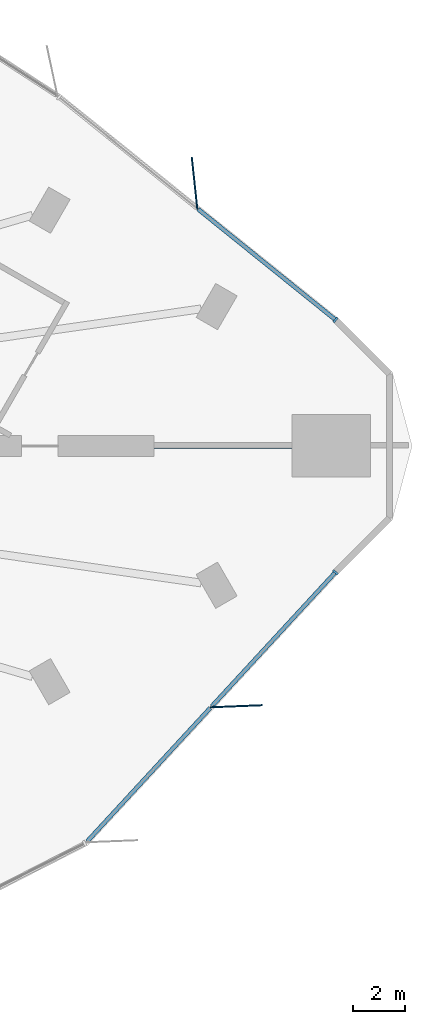
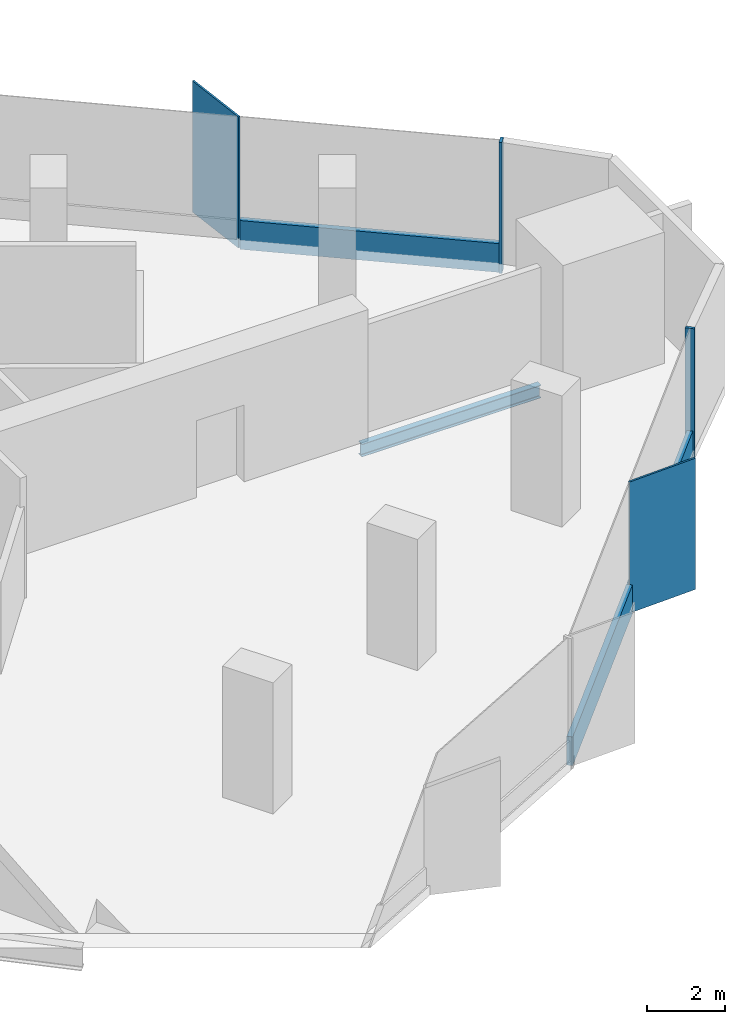
# One storey, part 6 of 14: 7 members, 1 beam, 2 elements without a shape of their own.
"""IFC4 building model written with IfcOpenShell, lengths in metres."""

from ifc_helpers import new_model, si_unit, direction, frame, origin, origin_2d, place, context, subcontext, project, spatial, rectangle, i_section, extrude, material, material_profile, profile_set, type_object, element, aggregate, save


model = new_model("IFC4")

# Units and contexts
model_context = context("Model", 3, precision=1e-05, world=origin(), true_north=direction((0.0, 1.0)))
body_context = subcontext(model_context, "Body", "Model", "MODEL_VIEW")
ifc_project = project(units=[si_unit("LENGTHUNIT", "METRE"), si_unit("AREAUNIT", "SQUARE_METRE"), si_unit("VOLUMEUNIT", "CUBIC_METRE"), si_unit("PLANEANGLEUNIT", "RADIAN"), si_unit("MASSUNIT", "GRAM", prefix="KILO")], contexts=[model_context])

# Site, building, storey
site_placement = place(None, origin())
site = spatial("IfcSite", under=ifc_project, at=site_placement, CompositionType="ELEMENT")
building_placement = place(site_placement, origin())
building = spatial("IfcBuilding", under=site, at=building_placement, Name="Tanit Gate Tower", CompositionType="ELEMENT")
storey_placement = place(building_placement, frame((0.0, 0.0, 74.199951171875)))
storey = spatial("IfcBuildingStorey", under=building, at=storey_placement, Name="L14", CompositionType="ELEMENT", Elevation=74.199951171875)

# Curtain wall, member
ifc_material_1 = material(Name="Aluminium bronze anodised and glass", Category="aluminium")
curtain_wall_type = type_object("IfcCurtainWallType", Name="Curtain wall typical low", PredefinedType="NOTDEFINED", material=ifc_material_1)
curtain_wall_1_placement = place(storey_placement, origin())
curtain_wall_1 = element("IfcCurtainWall", 1, at=curtain_wall_1_placement, inside=storey, type_object=curtain_wall_type, Name="Curtain wall L14 NE1", PredefinedType="NOTDEFINED")
ifc_material_2 = material(Name="Aluminium bronze anodised", Category="aluminium")
ifc_material_profile_1 = material_profile(ifc_material_2, rectangle(XDim=2.0, YDim=0.055908203125, at=origin_2d()), Name="56x2000 bronze fin mullion")
ifc_profile_set_1 = profile_set([ifc_material_profile_1], Name="Aluminium bronze anodised")
member_type_1 = type_object("IfcMemberType", Name="FIN MULLION 56x2000 bronze", PredefinedType="MULLION", material=ifc_profile_set_1)
member_1_placement = place(storey_placement, frame((36.37646484375, 10.07177734375, -0.300048828125), z_axis=(0.0, 0.0, 1.0), x_axis=(0.107016792677, -0.994257213243, 0.0)))
member_1 = element("IfcMember", 2, at=member_1_placement, type_object=member_type_1, Name="Fin mullion L14 NE1.2", PredefinedType="MULLION", context=body_context, shape_type="SweptSolid", body=[
    extrude(rectangle(XDim=2.0, YDim=0.055908203125, at=origin_2d()), origin(), (0.0, 0.0, 1.0), 4.10009765625),
])

curtain_wall_2_placement = place(storey_placement, origin())
curtain_wall_2 = element("IfcCurtainWall", 3, at=curtain_wall_2_placement, inside=storey, type_object=curtain_wall_type, Name="Curtain wall L14 SE3", PredefinedType="NOTDEFINED")
member_2_placement = place(storey_placement, frame((37.979736328125, -9.976806640625, -0.300048828125), z_axis=(0.0, 0.0, 1.0), x_axis=(-0.999188560879, -0.040276789942, 0.0)))
member_2 = element("IfcMember", 4, at=member_2_placement, type_object=member_type_1, Name="Fin mullion L14 SE3.2", PredefinedType="MULLION", context=body_context, shape_type="SweptSolid", body=[
    extrude(rectangle(XDim=2.0, YDim=0.055908203125, at=origin_2d()), origin(), (0.0, 0.0, 1.0), 4.10009765625),
])

# Member
ifc_material_3 = material(Name="Aluminium bronze anodised", Category="aluminium")
ifc_material_profile_2 = material_profile(ifc_material_3, rectangle(XDim=0.239990234375, YDim=0.080078125, at=origin_2d()), Name="80x240 bronze mullion")
ifc_profile_set_2 = profile_set([ifc_material_profile_2], Name="Aluminium bronze anodised")
member_type_2 = type_object("IfcMemberType", Name="Mullion 80x240 typical low", PredefinedType="MULLION", material=ifc_profile_set_2)
member_3_placement = place(storey_placement, frame((41.77685546875, 4.833251953125, -0.300048828125), z_axis=(0.0, 0.0, 1.0), x_axis=(-0.627373717925, -0.77871831753, 0.0)))
member_3 = element("IfcMember", 5, at=member_3_placement, type_object=member_type_2, Name="Mullion L14 NE1.1", PredefinedType="MULLION", context=body_context, shape_type="SweptSolid", body=[
    extrude(rectangle(XDim=0.239990234375, YDim=0.080078125, at=origin_2d()), origin(), (0.0, 0.0, 1.0), 4.10009765625),
])

member_4_placement = place(storey_placement, frame((41.774658203125, -4.843994140625, -0.300048828125), z_axis=(0.0, 0.0, 1.0), x_axis=(-0.735012998374, 0.678053015789, 0.0)))
member_4 = element("IfcMember", 6, at=member_4_placement, type_object=member_type_2, Name="Mullion L14 SE3.3", PredefinedType="MULLION", context=body_context, shape_type="SweptSolid", body=[
    extrude(rectangle(XDim=0.239990234375, YDim=0.080078125, at=origin_2d()), origin(), (0.0, 0.0, 1.0), 4.10009765625),
])

# Beam
ifc_material_4 = material(Name="Steel S355", Category="steel")
ifc_material_profile_3 = material_profile(ifc_material_4, i_section(OverallWidth=0.179931640625, OverallDepth=0.39990234375, WebThickness=0.008544921875, FlangeThickness=0.013427734375, FilletRadius=0.02099609375, at=origin_2d()), Name="IPE 400")
ifc_profile_set_3 = profile_set([ifc_material_profile_3], Name="Steel S355")
beam_type = type_object("IfcBeamType", Name="RADIAL GIRDER IPE 400 S355", PredefinedType="BEAM", material=ifc_profile_set_3)
beam_placement = place(storey_placement, frame((40.115966796875, 0.0, -0.5), z_axis=(-1.0, 0.0, 0.0), x_axis=(0.0, -1.0, 0.0)))
element("IfcBeam", 7, at=beam_placement, inside=storey, type_object=beam_type, Name="RADIAL GIRDER", PredefinedType="BEAM", context=body_context, shape_type="SweptSolid", body=[
    extrude(i_section(OverallWidth=0.179931640625, OverallDepth=0.39990234375, WebThickness=0.008544921875, FlangeThickness=0.013427734375, FilletRadius=0.02099609375, at=origin_2d()), origin(), (0.0, 0.0, 1.0), 5.29638671875),
])

# Member
ifc_material_5 = material(Name="Aluminium bronze anodised", Category="aluminium")
ifc_material_profile_4 = material_profile(ifc_material_5, rectangle(XDim=0.159912109375, YDim=0.89990234375, at=origin_2d()), Name="160x900 bronze transom")
ifc_profile_set_4 = profile_set([ifc_material_profile_4], Name="Aluminium bronze anodised")
member_type_3 = type_object("IfcMemberType", Name="Transom 160x900 typical low", PredefinedType="USERDEFINED", material=ifc_profile_set_4)
member_5_placement = place(storey_placement, frame((41.745849609375, 4.8583984375, 0.150146484375), z_axis=(-0.778712992198, 0.627380327856, 0.0), x_axis=(-0.627380327856, -0.778712992198, 0.0)))
member_5 = element("IfcMember", 8, at=member_5_placement, type_object=member_type_3, Name="Transom L14 NE1.1", ObjectType="TRANSOM", PredefinedType="USERDEFINED", context=body_context, shape_type="SweptSolid", body=[
    extrude(rectangle(XDim=0.159912109375, YDim=0.89990234375, at=origin_2d()), origin(), (0.0, 0.0, 1.0), 6.720947265625),
])

aggregate(curtain_wall_1, [member_3, member_1, member_5])

member_6_placement = place(storey_placement, frame((32.259033203125, -15.158935546875, 0.150146484375), z_axis=(0.678036655159, 0.735028090797, 0.0), x_axis=(-0.735028090797, 0.678036655159, 0.0)))
member_6 = element("IfcMember", 9, at=member_6_placement, type_object=member_type_3, Name="Transom L14 SE3.1", ObjectType="TRANSOM", PredefinedType="USERDEFINED", context=body_context, shape_type="SweptSolid", body=[
    extrude(rectangle(XDim=0.159912109375, YDim=0.89990234375, at=origin_2d()), origin(), (0.0, 0.0, 1.0), 6.95703125),
])

member_7_placement = place(storey_placement, frame((37.030517578125, -9.986572265625, 0.150146484375), z_axis=(0.67805414505, 0.735011956624, 0.0), x_axis=(-0.735011956624, 0.67805414505, 0.0)))
member_7 = element("IfcMember", 10, at=member_7_placement, type_object=member_type_3, Name="Transom L14 SE3.2", ObjectType="TRANSOM", PredefinedType="USERDEFINED", context=body_context, shape_type="SweptSolid", body=[
    extrude(rectangle(XDim=0.159912109375, YDim=0.89990234375, at=origin_2d()), origin(), (0.0, 0.0, 1.0), 6.956787109375),
])

aggregate(curtain_wall_2, [member_2, member_4, member_6, member_7])

save(model, "model.ifc")
